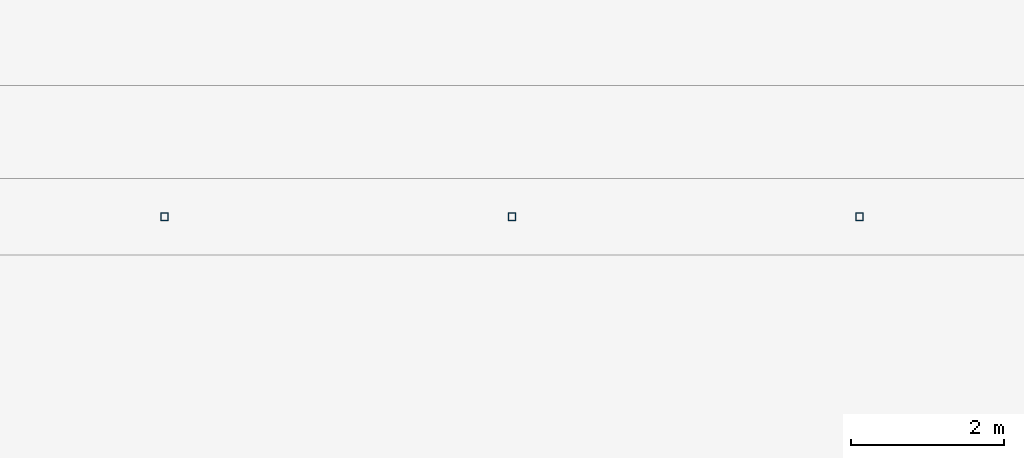
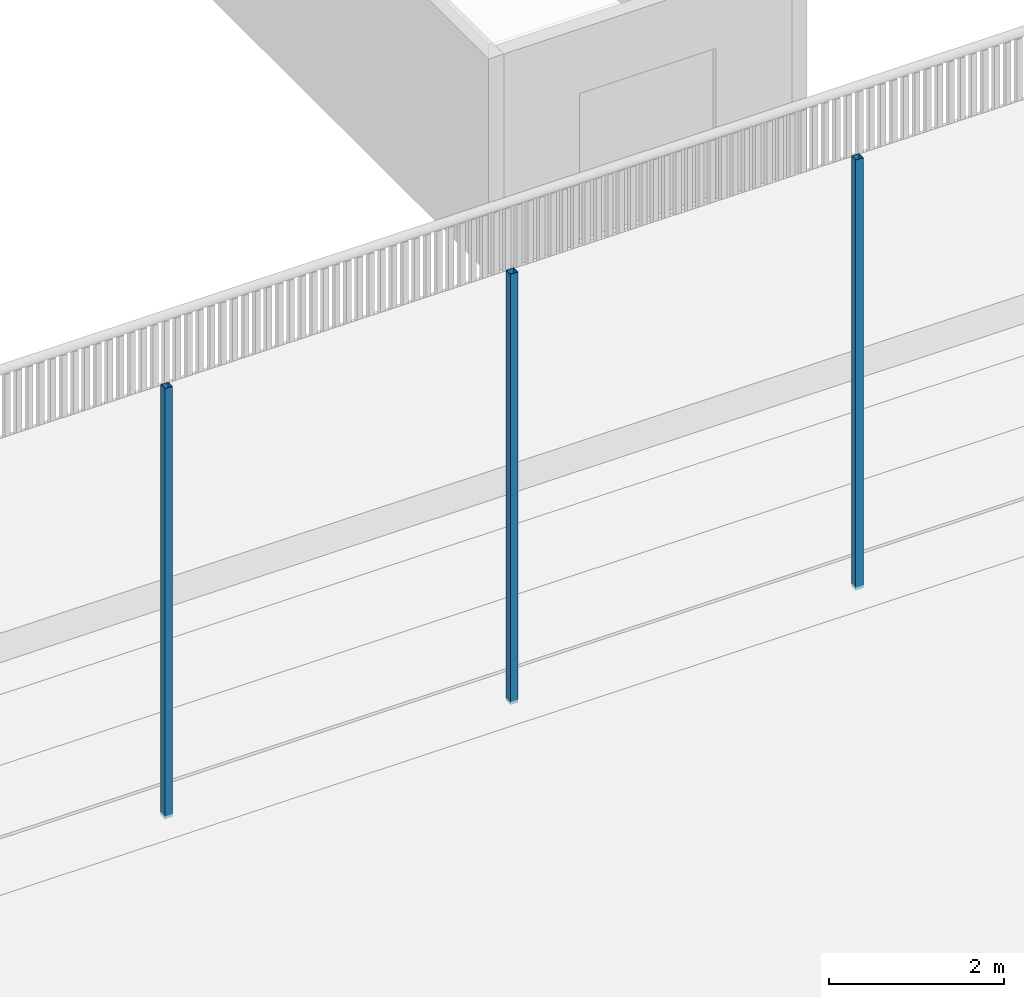
# One storey, part 80 of 127: 3 discrete accessories.
"""IFC4 building model written with IfcOpenShell, lengths in metres."""

from ifc_helpers import new_model, si_unit, direction, frame, origin, origin_2d, place, context, subcontext, project, spatial, hollow_rectangle, extrude, material, type_object, element, save


model = new_model("IFC4")

# Units and contexts
model_context = context("Model", 3, precision=1e-05, world=origin(), true_north=direction((0.0, 1.0)))
body_context = subcontext(model_context, "Body", "Model", "MODEL_VIEW")
ifc_project = project(units=[si_unit("LENGTHUNIT", "METRE"), si_unit("AREAUNIT", "SQUARE_METRE"), si_unit("VOLUMEUNIT", "CUBIC_METRE"), si_unit("PLANEANGLEUNIT", "RADIAN"), si_unit("MASSUNIT", "GRAM", prefix="KILO")], contexts=[model_context])

# Site, building, storey
site_placement = place(None, origin())
site = spatial("IfcSite", under=ifc_project, at=site_placement, CompositionType="ELEMENT")
building_placement = place(site_placement, origin())
building = spatial("IfcBuilding", under=site, at=building_placement, Name="Verrick Yard Athletic Hall", CompositionType="ELEMENT")
storey_placement = place(building_placement, frame((0.0, 0.0, 14.0)))
storey = spatial("IfcBuildingStorey", under=building, at=storey_placement, Name="L03", CompositionType="ELEMENT", Elevation=14.0)

# Discrete accessories
ifc_material = material(Name="Structural steel HSS Class C 350W (CSA G40.20/G40.21)", Category="steel")
discrete_accessory_type = type_object("IfcDiscreteAccessoryType", Name="Ball stop post", PredefinedType="USERDEFINED", material=ifc_material)
for number, where, z_axis, x_axis, name in (
    (1, (105.63330078125, 46.5, 0.0), (0.0, 0.0, 1.0), (1.0, 0.0, 0.0), "Ball stop post 18"),
    (2, (101.077880859375, 46.5, 0.0), (0.0, 0.0, 1.0), (1.0, 0.0, 0.0), "Ball stop post 19"),
    (3, (96.522216796875, 46.5, 0.0), (0.0, 0.0, 1.0), (1.0, 0.0, 0.0), "Ball stop post 20"),
):
    element("IfcDiscreteAccessory", number, at=place(storey_placement, frame(where, z_axis=z_axis, x_axis=x_axis)), inside=storey, type_object=discrete_accessory_type, Name=name, ObjectType="BALL STOP POST", PredefinedType="USERDEFINED", context=body_context, shape_type="SweptSolid", body=[
        extrude(hollow_rectangle(XDim=0.1015625, YDim=0.1015625, WallThickness=0.00634765625, at=origin_2d()), origin(), (0.0, 0.0, 1.0), 6.0),
    ])

save(model, "model.ifc")
